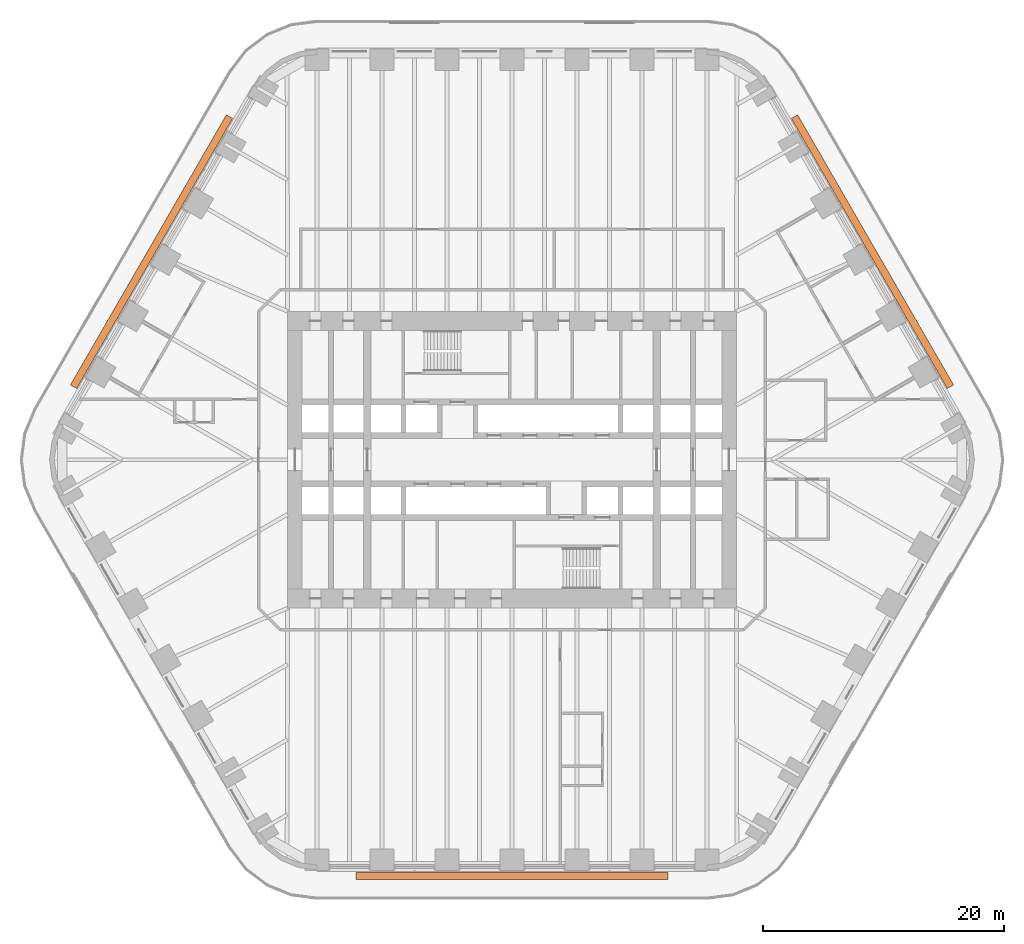
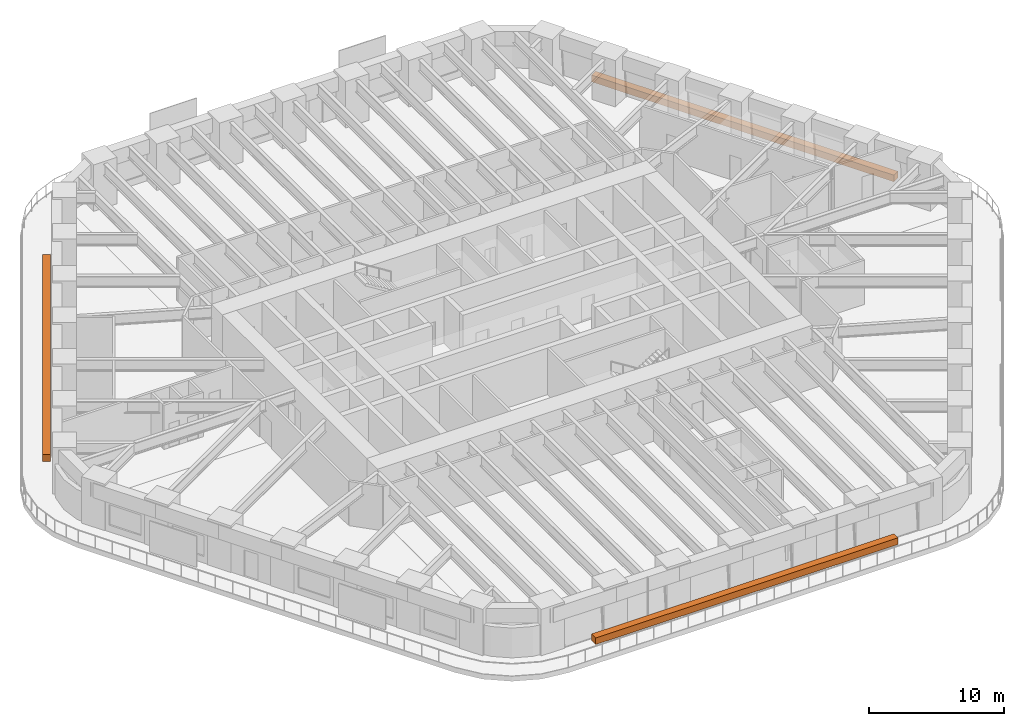
# One storey, part 23 of 23: 3 proxies.
"""IFC4 building model written with IfcOpenShell, lengths in metres."""

from ifc_helpers import new_model, si_unit, direction, frame, origin, origin_2d, place, context, subcontext, project, spatial, rectangle, extrude, material, element, save


model = new_model("IFC4")

# Units and contexts
model_context = context("Model", 3, precision=1e-05, world=origin(), true_north=direction((0.0, 1.0)))
body_context = subcontext(model_context, "Body", "Model", "MODEL_VIEW")
ifc_project = project(units=[si_unit("LENGTHUNIT", "METRE"), si_unit("AREAUNIT", "SQUARE_METRE"), si_unit("VOLUMEUNIT", "CUBIC_METRE"), si_unit("PLANEANGLEUNIT", "RADIAN"), si_unit("MASSUNIT", "GRAM", prefix="KILO")], contexts=[model_context])

# Site, building, storey
site_placement = place(None, origin())
site = spatial("IfcSite", under=ifc_project, at=site_placement, CompositionType="ELEMENT")
building_placement = place(site_placement, origin())
building = spatial("IfcBuilding", under=site, at=building_placement, Name="Tarfa Lantern Tower", CompositionType="ELEMENT")
storey_placement = place(building_placement, frame((0.0, 0.0, 48.699951171875)))
storey = spatial("IfcBuildingStorey", under=building, at=storey_placement, Name="L10", CompositionType="ELEMENT", Elevation=48.699951171875)

# Proxies
ifc_material = material(Name="Planting bed")
for number, where, z_axis, x_axis, name in (
    (1, (29.8779296875, 17.25, 0.0), (0.0, 0.0, 1.0), (-0.5, 0.866025403784, 0.0), "Balcony planter"),
    (2, (-29.8779296875, 17.25, 0.0), (0.0, 0.0, 1.0), (-0.5, -0.866025403784, 0.0), "Balcony planter"),
    (3, (0.0, -34.5, 0.0), (0.0, 0.0, 1.0), (1.0, 0.0, 0.0), "Balcony planter"),
):
    element("IfcBuildingElementProxy", number, at=place(storey_placement, frame(where, z_axis=z_axis, x_axis=x_axis)), inside=storey, material=ifc_material, Name=name, ObjectType="PLANTER", PredefinedType="USERDEFINED", context=body_context, shape_type="SweptSolid", body=[
        extrude(rectangle(XDim=25.865234375, YDim=0.60009765625, at=origin_2d()), origin(), (0.0, 0.0, 1.0), 0.60009765625),
    ])

save(model, "model.ifc")
